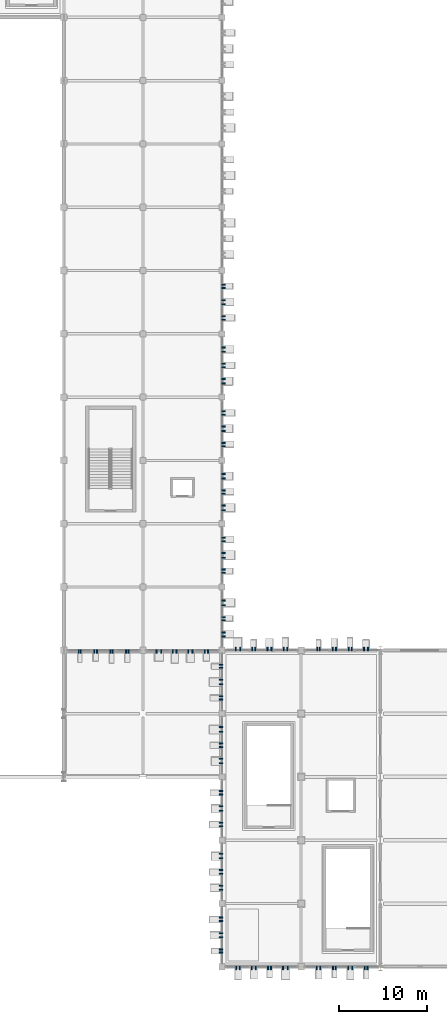
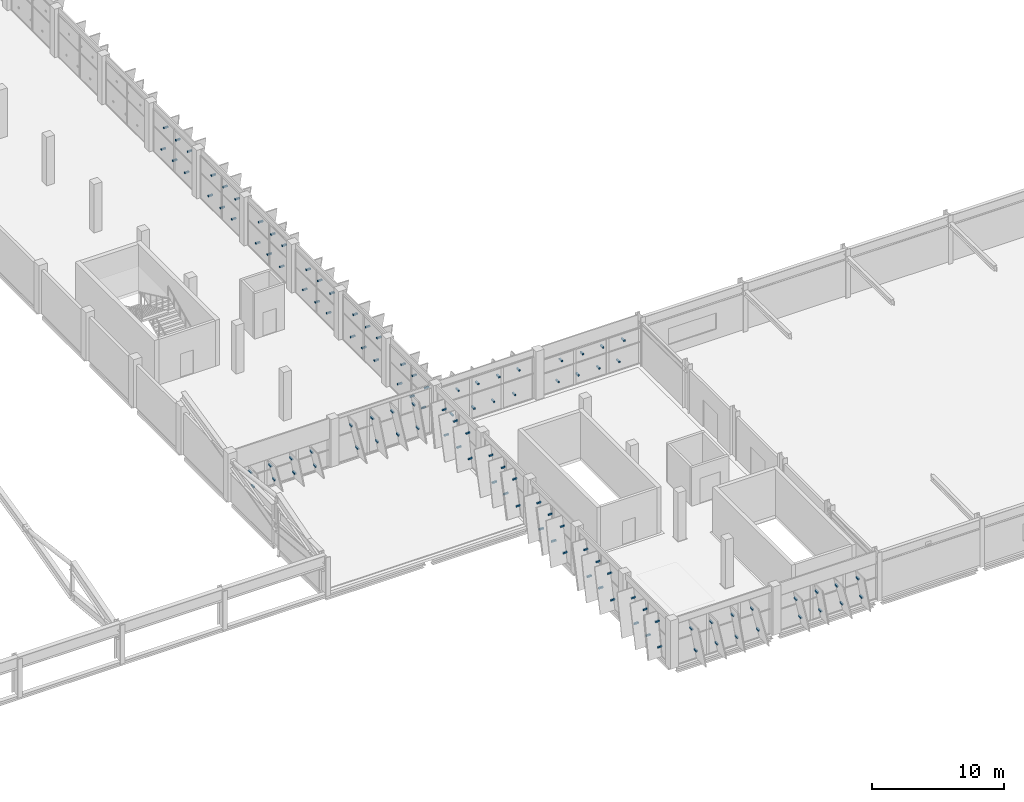
# One storey, part 123 of 151: 114 discrete accessories.
"""IFC4 building model written with IfcOpenShell, lengths in metres."""

from ifc_helpers import new_model, si_unit, direction, frame, origin, origin_2d, place, context, subcontext, project, spatial, rectangle, extrude, material, type_object, element, save


model = new_model("IFC4")

# Units and contexts
model_context = context("Model", 3, precision=1e-05, world=origin(), true_north=direction((0.0, 1.0)))
body_context = subcontext(model_context, "Body", "Model", "MODEL_VIEW")
ifc_project = project(units=[si_unit("LENGTHUNIT", "METRE"), si_unit("AREAUNIT", "SQUARE_METRE"), si_unit("VOLUMEUNIT", "CUBIC_METRE"), si_unit("PLANEANGLEUNIT", "RADIAN"), si_unit("MASSUNIT", "GRAM", prefix="KILO")], contexts=[model_context])

# Site, building, storey
site_placement = place(None, origin())
site = spatial("IfcSite", under=ifc_project, at=site_placement, CompositionType="ELEMENT")
building_placement = place(site_placement, origin())
building = spatial("IfcBuilding", under=site, at=building_placement, Name="Celestram Park Convention Centre", CompositionType="ELEMENT")
storey_placement = place(building_placement, frame((0.0, 0.0, 10.800048828125)))
storey = spatial("IfcBuildingStorey", under=building, at=storey_placement, Name="L02", CompositionType="ELEMENT", Elevation=10.800048828125)

# Discrete accessories
ifc_material = material(Name="Steel ASTM A500 Grade C", Category="steel")
discrete_accessory_type = type_object("IfcDiscreteAccessoryType", Name="ARC-BRK-OUT400", PredefinedType="BRACKET", material=ifc_material)
for number, where, z_axis, x_axis, name in (
    (1, (160.529052734375, -0.14990234375, 0.68017578125), (0.0, 0.0, 1.0), (0.0, -1.0, 0.0), "Solar fin outrigger bracket BK-L02-0857"),
    (2, (160.2119140625, -0.14990234375, 2.515625), (0.0, 0.0, 1.0), (0.0, -1.0, 0.0), "Solar fin outrigger bracket BK-L02-0858"),
    (3, (158.79248046875, -0.14990234375, 0.69384765625), (0.0, 0.0, 1.0), (0.0, -1.0, 0.0), "Solar fin outrigger bracket BK-L02-0859"),
    (4, (158.348388671875, -0.14990234375, 2.50244140625), (0.0, 0.0, 1.0), (0.0, -1.0, 0.0), "Solar fin outrigger bracket BK-L02-0860"),
    (5, (156.919189453125, -0.14990234375, 0.6787109375), (0.0, 0.0, 1.0), (0.0, -1.0, 0.0), "Solar fin outrigger bracket BK-L02-0861"),
    (6, (156.62158203125, -0.14990234375, 2.51708984375), (0.0, 0.0, 1.0), (0.0, -1.0, 0.0), "Solar fin outrigger bracket BK-L02-0862"),
    (7, (155.165771484375, -0.14990234375, 0.6875), (0.0, 0.0, 1.0), (0.0, -1.0, 0.0), "Solar fin outrigger bracket BK-L02-0863"),
    (8, (154.775146484375, -0.14990234375, 2.5087890625), (0.0, 0.0, 1.0), (0.0, -1.0, 0.0), "Solar fin outrigger bracket BK-L02-0864"),
    (9, (151.460205078125, -0.14990234375, 0.8232421875), (0.0, 0.0, 1.0), (0.0, -1.0, 0.0), "Solar fin outrigger bracket BK-L02-0865"),
    (10, (150.93994140625, -0.14990234375, 2.94091796875), (0.0, 0.0, 1.0), (0.0, -1.0, 0.0), "Solar fin outrigger bracket BK-L02-0866"),
    (11, (149.57421875, -0.14990234375, 0.8056640625), (0.0, 0.0, 1.0), (0.0, -1.0, 0.0), "Solar fin outrigger bracket BK-L02-0867"),
    (12, (149.2255859375, -0.14990234375, 2.95849609375), (0.0, 0.0, 1.0), (0.0, -1.0, 0.0), "Solar fin outrigger bracket BK-L02-0868"),
    (13, (147.82861328125, -0.14990234375, 0.81591796875), (0.0, 0.0, 1.0), (0.0, -1.0, 0.0), "Solar fin outrigger bracket BK-L02-0869"),
    (14, (147.371337890625, -0.14990234375, 2.9482421875), (0.0, 0.0, 1.0), (0.0, -1.0, 0.0), "Solar fin outrigger bracket BK-L02-0870"),
    (15, (145.996826171875, -0.14990234375, 0.8095703125), (0.0, 0.0, 1.0), (0.0, -1.0, 0.0), "Solar fin outrigger bracket BK-L02-0871"),
    (16, (145.603271484375, -0.14990234375, 2.95458984375), (0.0, 0.0, 1.0), (0.0, -1.0, 0.0), "Solar fin outrigger bracket BK-L02-0872"),
    (17, (143.85009765625, 1.625732421875, 0.8056640625), (0.0, 0.0, 1.0), (-1.0, 0.0, 0.0), "Solar fin outrigger bracket BK-L02-0873"),
    (18, (143.85009765625, 1.974365234375, 2.95849609375), (0.0, 0.0, 1.0), (-1.0, 0.0, 0.0), "Solar fin outrigger bracket BK-L02-0874"),
    (19, (143.85009765625, 3.371337890625, 0.81591796875), (0.0, 0.0, 1.0), (-1.0, 0.0, 0.0), "Solar fin outrigger bracket BK-L02-0875"),
    (20, (143.85009765625, 3.82861328125, 2.9482421875), (0.0, 0.0, 1.0), (-1.0, 0.0, 0.0), "Solar fin outrigger bracket BK-L02-0876"),
    (21, (143.85009765625, 5.203125, 0.8095703125), (0.0, 0.0, 1.0), (-1.0, 0.0, 0.0), "Solar fin outrigger bracket BK-L02-0877"),
    (22, (143.85009765625, 5.5966796875, 2.95458984375), (0.0, 0.0, 1.0), (-1.0, 0.0, 0.0), "Solar fin outrigger bracket BK-L02-0878"),
    (23, (143.85009765625, 8.76513671875, 0.83984375), (0.0, 0.0, 1.0), (-1.0, 0.0, 0.0), "Solar fin outrigger bracket BK-L02-0879"),
    (24, (143.85009765625, 9.23486328125, 3.0302734375), (0.0, 0.0, 1.0), (-1.0, 0.0, 0.0), "Solar fin outrigger bracket BK-L02-0880"),
    (25, (143.85009765625, 10.597900390625, 0.83349609375), (0.0, 0.0, 1.0), (-1.0, 0.0, 0.0), "Solar fin outrigger bracket BK-L02-0881"),
    (26, (143.85009765625, 11.002197265625, 3.03662109375), (0.0, 0.0, 1.0), (-1.0, 0.0, 0.0), "Solar fin outrigger bracket BK-L02-0882"),
    (27, (143.85009765625, 12.34033203125, 0.845703125), (0.0, 0.0, 1.0), (-1.0, 0.0, 0.0), "Solar fin outrigger bracket BK-L02-0883"),
    (28, (143.85009765625, 12.859619140625, 3.0244140625), (0.0, 0.0, 1.0), (-1.0, 0.0, 0.0), "Solar fin outrigger bracket BK-L02-0884"),
    (29, (143.85009765625, 15.997802734375, 0.83349609375), (0.0, 0.0, 1.0), (-1.0, 0.0, 0.0), "Solar fin outrigger bracket BK-L02-0885"),
    (30, (143.85009765625, 16.402099609375, 3.03662109375), (0.0, 0.0, 1.0), (-1.0, 0.0, 0.0), "Solar fin outrigger bracket BK-L02-0886"),
    (31, (143.85009765625, 17.740478515625, 0.845703125), (0.0, 0.0, 1.0), (-1.0, 0.0, 0.0), "Solar fin outrigger bracket BK-L02-0887"),
    (32, (143.85009765625, 18.259521484375, 3.0244140625), (0.0, 0.0, 1.0), (-1.0, 0.0, 0.0), "Solar fin outrigger bracket BK-L02-0888"),
    (33, (143.85009765625, 19.609375, 0.83154296875), (0.0, 0.0, 1.0), (-1.0, 0.0, 0.0), "Solar fin outrigger bracket BK-L02-0889"),
    (34, (143.85009765625, 19.990478515625, 3.03857421875), (0.0, 0.0, 1.0), (-1.0, 0.0, 0.0), "Solar fin outrigger bracket BK-L02-0890"),
    (35, (143.85009765625, 23.140380859375, 0.845703125), (0.0, 0.0, 1.0), (-1.0, 0.0, 0.0), "Solar fin outrigger bracket BK-L02-0891"),
    (36, (143.85009765625, 23.65966796875, 3.0244140625), (0.0, 0.0, 1.0), (-1.0, 0.0, 0.0), "Solar fin outrigger bracket BK-L02-0892"),
    (37, (143.85009765625, 25.009521484375, 0.83154296875), (0.0, 0.0, 1.0), (-1.0, 0.0, 0.0), "Solar fin outrigger bracket BK-L02-0893"),
    (38, (143.85009765625, 25.390625, 3.03857421875), (0.0, 0.0, 1.0), (-1.0, 0.0, 0.0), "Solar fin outrigger bracket BK-L02-0894"),
    (39, (143.85009765625, 26.73291015625, 0.84716796875), (0.0, 0.0, 1.0), (-1.0, 0.0, 0.0), "Solar fin outrigger bracket BK-L02-0895"),
    (40, (143.85009765625, 27.26708984375, 3.0224609375), (0.0, 0.0, 1.0), (-1.0, 0.0, 0.0), "Solar fin outrigger bracket BK-L02-0896"),
    (41, (143.85009765625, 30.414306640625, 0.8076171875), (0.0, 0.0, 1.0), (-1.0, 0.0, 0.0), "Solar fin outrigger bracket BK-L02-0897"),
    (42, (143.85009765625, 30.78564453125, 2.95654296875), (0.0, 0.0, 1.0), (-1.0, 0.0, 0.0), "Solar fin outrigger bracket BK-L02-0898"),
    (43, (143.85009765625, 32.139892578125, 0.8232421875), (0.0, 0.0, 1.0), (-1.0, 0.0, 0.0), "Solar fin outrigger bracket BK-L02-0899"),
    (44, (143.85009765625, 32.66015625, 2.94091796875), (0.0, 0.0, 1.0), (-1.0, 0.0, 0.0), "Solar fin outrigger bracket BK-L02-0900"),
    (45, (143.85009765625, 34.025634765625, 0.8056640625), (0.0, 0.0, 1.0), (-1.0, 0.0, 0.0), "Solar fin outrigger bracket BK-L02-0901"),
    (46, (143.85009765625, 34.374267578125, 2.95849609375), (0.0, 0.0, 1.0), (-1.0, 0.0, 0.0), "Solar fin outrigger bracket BK-L02-0902"),
    (47, (145.539794921875, 36.14990234375, 0.8232421875), (0.0, 0.0, 1.0), (0.0, 1.0, 0.0), "Solar fin outrigger bracket BK-L02-0903"),
    (48, (146.06005859375, 36.14990234375, 2.94091796875), (0.0, 0.0, 1.0), (0.0, 1.0, 0.0), "Solar fin outrigger bracket BK-L02-0904"),
    (49, (147.42578125, 36.14990234375, 0.8056640625), (0.0, 0.0, 1.0), (0.0, 1.0, 0.0), "Solar fin outrigger bracket BK-L02-0905"),
    (50, (147.7744140625, 36.14990234375, 2.95849609375), (0.0, 0.0, 1.0), (0.0, 1.0, 0.0), "Solar fin outrigger bracket BK-L02-0906"),
    (51, (149.17138671875, 36.14990234375, 0.81591796875), (0.0, 0.0, 1.0), (0.0, 1.0, 0.0), "Solar fin outrigger bracket BK-L02-0907"),
    (52, (149.628662109375, 36.14990234375, 2.9482421875), (0.0, 0.0, 1.0), (0.0, 1.0, 0.0), "Solar fin outrigger bracket BK-L02-0908"),
    (53, (151.003173828125, 36.14990234375, 0.8095703125), (0.0, 0.0, 1.0), (0.0, 1.0, 0.0), "Solar fin outrigger bracket BK-L02-0909"),
    (54, (151.396728515625, 36.14990234375, 2.95458984375), (0.0, 0.0, 1.0), (0.0, 1.0, 0.0), "Solar fin outrigger bracket BK-L02-0910"),
    (55, (154.821533203125, 36.14990234375, 0.6787109375), (0.0, 0.0, 1.0), (0.0, 1.0, 0.0), "Solar fin outrigger bracket BK-L02-0911"),
    (56, (155.119384765625, 36.14990234375, 2.51708984375), (0.0, 0.0, 1.0), (0.0, 1.0, 0.0), "Solar fin outrigger bracket BK-L02-0912"),
    (57, (156.5751953125, 36.14990234375, 0.6875), (0.0, 0.0, 1.0), (0.0, 1.0, 0.0), "Solar fin outrigger bracket BK-L02-0913"),
    (58, (156.9658203125, 36.14990234375, 2.5087890625), (0.0, 0.0, 1.0), (0.0, 1.0, 0.0), "Solar fin outrigger bracket BK-L02-0914"),
    (59, (158.40234375, 36.14990234375, 0.68212890625), (0.0, 0.0, 1.0), (0.0, 1.0, 0.0), "Solar fin outrigger bracket BK-L02-0915"),
    (60, (158.738525390625, 36.14990234375, 2.51416015625), (0.0, 0.0, 1.0), (0.0, 1.0, 0.0), "Solar fin outrigger bracket BK-L02-0916"),
    (61, (160.154541015625, 36.14990234375, 0.69189453125), (0.0, 0.0, 1.0), (0.0, 1.0, 0.0), "Solar fin outrigger bracket BK-L02-0917"),
    (62, (160.586181640625, 36.14990234375, 2.50390625), (0.0, 0.0, 1.0), (0.0, 1.0, 0.0), "Solar fin outrigger bracket BK-L02-0918"),
    (63, (144.14990234375, 77.57861328125, 0.8271484375), (0.0, 0.0, 1.0), (1.0, 0.0, 0.0), "Solar fin outrigger bracket BK-L02-1173"),
    (64, (144.14990234375, 77.221435546875, 3.03271484375), (0.0, 0.0, 1.0), (1.0, 0.0, 0.0), "Solar fin outrigger bracket BK-L02-1174"),
    (65, (144.14990234375, 75.834228515625, 0.83740234375), (0.0, 0.0, 1.0), (1.0, 0.0, 0.0), "Solar fin outrigger bracket BK-L02-1175"),
    (66, (144.14990234375, 75.36572265625, 3.0224609375), (0.0, 0.0, 1.0), (1.0, 0.0, 0.0), "Solar fin outrigger bracket BK-L02-1176"),
    (67, (144.14990234375, 74.001708984375, 0.8310546875), (0.0, 0.0, 1.0), (1.0, 0.0, 0.0), "Solar fin outrigger bracket BK-L02-1177"),
    (68, (144.14990234375, 73.598388671875, 3.02880859375), (0.0, 0.0, 1.0), (1.0, 0.0, 0.0), "Solar fin outrigger bracket BK-L02-1178"),
    (69, (144.14990234375, 70.43408203125, 0.83740234375), (0.0, 0.0, 1.0), (1.0, 0.0, 0.0), "Solar fin outrigger bracket BK-L02-1179"),
    (70, (144.14990234375, 69.9658203125, 3.0224609375), (0.0, 0.0, 1.0), (1.0, 0.0, 0.0), "Solar fin outrigger bracket BK-L02-1180"),
    (71, (144.14990234375, 68.601806640625, 0.8310546875), (0.0, 0.0, 1.0), (1.0, 0.0, 0.0), "Solar fin outrigger bracket BK-L02-1181"),
    (72, (144.14990234375, 68.1982421875, 3.02880859375), (0.0, 0.0, 1.0), (1.0, 0.0, 0.0), "Solar fin outrigger bracket BK-L02-1182"),
    (73, (144.14990234375, 66.85888671875, 0.84326171875), (0.0, 0.0, 1.0), (1.0, 0.0, 0.0), "Solar fin outrigger bracket BK-L02-1183"),
    (74, (144.14990234375, 66.341064453125, 3.0166015625), (0.0, 0.0, 1.0), (1.0, 0.0, 0.0), "Solar fin outrigger bracket BK-L02-1184"),
    (75, (144.14990234375, 63.20166015625, 0.8310546875), (0.0, 0.0, 1.0), (1.0, 0.0, 0.0), "Solar fin outrigger bracket BK-L02-1185"),
    (76, (144.14990234375, 62.79833984375, 3.02880859375), (0.0, 0.0, 1.0), (1.0, 0.0, 0.0), "Solar fin outrigger bracket BK-L02-1186"),
    (77, (144.14990234375, 61.458984375, 0.84326171875), (0.0, 0.0, 1.0), (1.0, 0.0, 0.0), "Solar fin outrigger bracket BK-L02-1187"),
    (78, (144.14990234375, 60.941162109375, 3.0166015625), (0.0, 0.0, 1.0), (1.0, 0.0, 0.0), "Solar fin outrigger bracket BK-L02-1188"),
    (79, (144.14990234375, 59.590087890625, 0.8291015625), (0.0, 0.0, 1.0), (1.0, 0.0, 0.0), "Solar fin outrigger bracket BK-L02-1189"),
    (80, (144.14990234375, 59.209716796875, 3.03076171875), (0.0, 0.0, 1.0), (1.0, 0.0, 0.0), "Solar fin outrigger bracket BK-L02-1190"),
    (81, (144.14990234375, 56.058837890625, 0.84326171875), (0.0, 0.0, 1.0), (1.0, 0.0, 0.0), "Solar fin outrigger bracket BK-L02-1191"),
    (82, (144.14990234375, 55.541015625, 3.0166015625), (0.0, 0.0, 1.0), (1.0, 0.0, 0.0), "Solar fin outrigger bracket BK-L02-1192"),
    (83, (144.14990234375, 54.190185546875, 0.8291015625), (0.0, 0.0, 1.0), (1.0, 0.0, 0.0), "Solar fin outrigger bracket BK-L02-1193"),
    (84, (144.14990234375, 53.809814453125, 3.03076171875), (0.0, 0.0, 1.0), (1.0, 0.0, 0.0), "Solar fin outrigger bracket BK-L02-1194"),
    (85, (144.14990234375, 52.466552734375, 0.84521484375), (0.0, 0.0, 1.0), (1.0, 0.0, 0.0), "Solar fin outrigger bracket BK-L02-1195"),
    (86, (144.14990234375, 51.93359375, 3.01513671875), (0.0, 0.0, 1.0), (1.0, 0.0, 0.0), "Solar fin outrigger bracket BK-L02-1196"),
    (87, (144.14990234375, 48.7998046875, 0.8740234375), (0.0, 0.0, 1.0), (1.0, 0.0, 0.0), "Solar fin outrigger bracket BK-L02-1197"),
    (88, (144.14990234375, 48.400390625, 3.18603515625), (0.0, 0.0, 1.0), (1.0, 0.0, 0.0), "Solar fin outrigger bracket BK-L02-1198"),
    (89, (144.14990234375, 47.079833984375, 0.890625), (0.0, 0.0, 1.0), (1.0, 0.0, 0.0), "Solar fin outrigger bracket BK-L02-1199"),
    (90, (144.14990234375, 46.520263671875, 3.16943359375), (0.0, 0.0, 1.0), (1.0, 0.0, 0.0), "Solar fin outrigger bracket BK-L02-1200"),
    (91, (144.14990234375, 45.1875, 0.8720703125), (0.0, 0.0, 1.0), (1.0, 0.0, 0.0), "Solar fin outrigger bracket BK-L02-1201"),
    (92, (144.14990234375, 44.8125, 3.18798828125), (0.0, 0.0, 1.0), (1.0, 0.0, 0.0), "Solar fin outrigger bracket BK-L02-1202"),
    (93, (144.14990234375, 41.66015625, 0.8232421875), (0.0, 0.0, 1.0), (1.0, 0.0, 0.0), "Solar fin outrigger bracket BK-L02-1203"),
    (94, (144.14990234375, 41.139892578125, 2.94091796875), (0.0, 0.0, 1.0), (1.0, 0.0, 0.0), "Solar fin outrigger bracket BK-L02-1204"),
    (95, (144.14990234375, 39.7744140625, 0.8056640625), (0.0, 0.0, 1.0), (1.0, 0.0, 0.0), "Solar fin outrigger bracket BK-L02-1205"),
    (96, (144.14990234375, 39.42578125, 2.95849609375), (0.0, 0.0, 1.0), (1.0, 0.0, 0.0), "Solar fin outrigger bracket BK-L02-1206"),
    (97, (144.14990234375, 38.028564453125, 0.81591796875), (0.0, 0.0, 1.0), (1.0, 0.0, 0.0), "Solar fin outrigger bracket BK-L02-1207"),
    (98, (144.14990234375, 37.5712890625, 2.9482421875), (0.0, 0.0, 1.0), (1.0, 0.0, 0.0), "Solar fin outrigger bracket BK-L02-1208"),
    (99, (142.3876953125, 35.85009765625, 0.8720703125), (0.0, 0.0, 1.0), (0.0, -1.0, 0.0), "Solar fin outrigger bracket BK-L02-1209"),
    (100, (142.012451171875, 35.85009765625, 3.18798828125), (0.0, 0.0, 1.0), (0.0, -1.0, 0.0), "Solar fin outrigger bracket BK-L02-1210"),
    (101, (140.64599609375, 35.85009765625, 0.8828125), (0.0, 0.0, 1.0), (0.0, -1.0, 0.0), "Solar fin outrigger bracket BK-L02-1211"),
    (102, (140.154052734375, 35.85009765625, 3.17724609375), (0.0, 0.0, 1.0), (0.0, -1.0, 0.0), "Solar fin outrigger bracket BK-L02-1212"),
    (103, (138.811767578125, 35.85009765625, 0.8759765625), (0.0, 0.0, 1.0), (0.0, -1.0, 0.0), "Solar fin outrigger bracket BK-L02-1213"),
    (104, (138.38818359375, 35.85009765625, 3.18408203125), (0.0, 0.0, 1.0), (0.0, -1.0, 0.0), "Solar fin outrigger bracket BK-L02-1214"),
    (105, (137.072021484375, 35.85009765625, 0.888671875), (0.0, 0.0, 1.0), (0.0, -1.0, 0.0), "Solar fin outrigger bracket BK-L02-1215"),
    (106, (136.528076171875, 35.85009765625, 3.17138671875), (0.0, 0.0, 1.0), (0.0, -1.0, 0.0), "Solar fin outrigger bracket BK-L02-1216"),
    (107, (133.364013671875, 35.85009765625, 0.5185546875), (0.0, 0.0, 1.0), (0.0, -1.0, 0.0), "Solar fin outrigger bracket BK-L02-1217"),
    (108, (133.06103515625, 35.85009765625, 1.9306640625), (0.0, 0.0, 1.0), (0.0, -1.0, 0.0), "Solar fin outrigger bracket BK-L02-1218"),
    (109, (131.54296875, 35.85009765625, 0.51416015625), (0.0, 0.0, 1.0), (0.0, -1.0, 0.0), "Solar fin outrigger bracket BK-L02-1219"),
    (110, (131.281982421875, 35.85009765625, 1.9345703125), (0.0, 0.0, 1.0), (0.0, -1.0, 0.0), "Solar fin outrigger bracket BK-L02-1220"),
    (111, (129.77978515625, 35.85009765625, 0.52197265625), (0.0, 0.0, 1.0), (0.0, -1.0, 0.0), "Solar fin outrigger bracket BK-L02-1221"),
    (112, (129.4453125, 35.85009765625, 1.92724609375), (0.0, 0.0, 1.0), (0.0, -1.0, 0.0), "Solar fin outrigger bracket BK-L02-1222"),
    (113, (127.935302734375, 35.85009765625, 0.5126953125), (0.0, 0.0, 1.0), (0.0, -1.0, 0.0), "Solar fin outrigger bracket BK-L02-1223"),
    (114, (127.689697265625, 35.85009765625, 1.93603515625), (0.0, 0.0, 1.0), (0.0, -1.0, 0.0), "Solar fin outrigger bracket BK-L02-1224"),
):
    element("IfcDiscreteAccessory", number, at=place(storey_placement, frame(where, z_axis=z_axis, x_axis=x_axis)), inside=storey, type_object=discrete_accessory_type, Name=name, PredefinedType="BRACKET", context=body_context, shape_type="SweptSolid", body=[
        extrude(rectangle(XDim=0.39990234375, YDim=0.139892578125, at=origin_2d()), origin(), (0.0, 0.0, 1.0), 0.139892578125),
    ])

save(model, "model.ifc")
